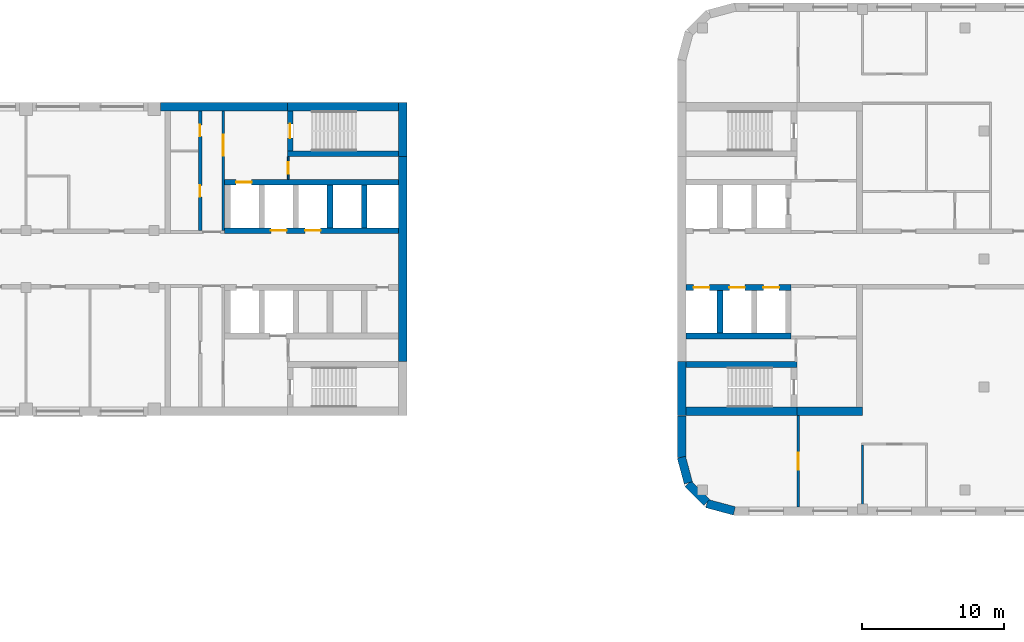
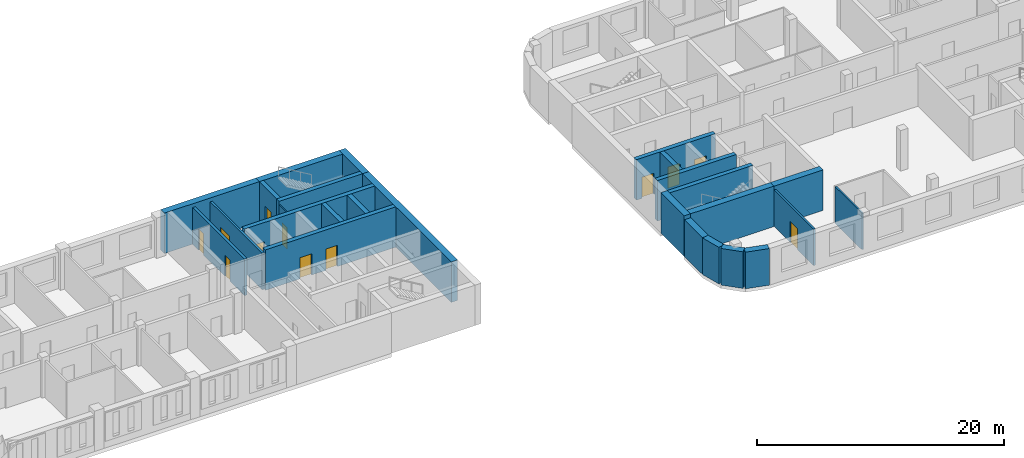
# One storey, part 6 of 12: 26 walls, 12 doors, 12 openings.
"""IFC4 building model written with IfcOpenShell, lengths in metres."""

from ifc_helpers import new_model, si_unit, direction, frame, frame_2d, origin, place, context, subcontext, project, spatial, rectangle, extrude, material, layer, layer_set, type_object, element, fill, save


model = new_model("IFC4")

# Units and contexts
model_context = context("Model", 3, precision=1e-05, world=origin(), true_north=direction((0.0, 1.0)))
body_context = subcontext(model_context, "Body", "Model", "MODEL_VIEW")
ifc_project = project(units=[si_unit("LENGTHUNIT", "METRE"), si_unit("AREAUNIT", "SQUARE_METRE"), si_unit("VOLUMEUNIT", "CUBIC_METRE"), si_unit("PLANEANGLEUNIT", "RADIAN"), si_unit("MASSUNIT", "GRAM", prefix="KILO")], contexts=[model_context])

# Site, building, storey
site_placement = place(None, origin())
site = spatial("IfcSite", under=ifc_project, at=site_placement, CompositionType="ELEMENT")
building_placement = place(site_placement, origin())
building = spatial("IfcBuilding", under=site, at=building_placement, Name="Skarvind Civic Tower", CompositionType="ELEMENT")
storey_placement = place(building_placement, frame((0.0, 0.0, 59.5)))
storey = spatial("IfcBuildingStorey", under=building, at=storey_placement, Name="L13", CompositionType="ELEMENT", Elevation=59.5)

# Wall, opening, door
ifc_material_1 = material(Name="Acoustic gypsum board on steel studs", Category="steel")
ifc_layer_1 = layer(ifc_material_1, 0.175048828125)
ifc_layer_set_1 = layer_set([ifc_layer_1], Name="ACOUSTIC MEETING-ROOM PARTITION 175")
wall_type_1 = type_object("IfcWallType", Name="ACOUSTIC MEETING-ROOM PARTITION 175", PredefinedType="PARTITIONING", material=ifc_layer_set_1)
wall_1_placement = place(storey_placement, frame((135.5, 117.0, 0.0), z_axis=(0.0, 0.0, 1.0), x_axis=(0.0, -1.0, 0.0)))
wall_1 = element("IfcWall", 1, at=wall_1_placement, inside=storey, type_object=wall_type_1, Name="Partition 13.001", PredefinedType="PARTITIONING", context=body_context, shape_type="SweptSolid", body=[
    extrude(rectangle(XDim=6.39990234375, YDim=0.175048828125, at=frame_2d((3.199951171875, 0.0))), origin(), (0.0, 0.0, 1.0), 3.625),
])
opening_1_placement = place(wall_1_placement, frame((2.60009765625, 0.0, 0.0)))
opening_1 = element("IfcOpeningElement", 2, at=opening_1_placement, cuts=wall_1, Name="Opening L13-D111", PredefinedType="OPENING", context=body_context, shape_type="SweptSolid", body=[
    extrude(rectangle(XDim=1.199951171875, YDim=2.10009765625, at=frame_2d((0.60009765625, 1.050048828125))), frame((0.0, 0.097412109375, 0.0), z_axis=(0.0, -1.0, 0.0), x_axis=(1.0, 0.0, 0.0)), (0.0, 0.0, 1.0), 0.195068359375),
])
ifc_material_2 = material(Name="Timber door leaf", Category="wood")
door_type_1 = type_object("IfcDoorType", Name="DOOR 1200X2100 DOUBLE TIMBER", OperationType="NOTDEFINED", PredefinedType="DOOR", material=ifc_material_2)
door_1_placement = place(opening_1_placement, origin())
door_1 = element("IfcDoor", 3, at=door_1_placement, inside=storey, type_object=door_type_1, Name="Door L13-D111", OperationType="DOUBLE_DOOR_SINGLE_SWING", OverallHeight=2.10009765625, OverallWidth=1.199951171875, PredefinedType="DOOR", context=body_context, shape_type="SweptSolid", body=[
    extrude(rectangle(XDim=1.199951171875, YDim=2.10009765625, at=frame_2d((0.60009765625, 1.050048828125))), frame((0.0, 0.02490234375, 0.0), z_axis=(0.0, -1.0, 0.0), x_axis=(1.0, 0.0, 0.0)), (0.0, 0.0, 1.0), 0.050048828125),
])
fill(opening_1, door_1)

ifc_material_3 = material(Name="Fire-rated masonry partition", Category="masonry")
ifc_layer_2 = layer(ifc_material_3, 0.199951171875)
ifc_layer_set_2 = layer_set([ifc_layer_2], Name="Core enclosure wall 200")
wall_type_2 = type_object("IfcWallType", Name="Core enclosure wall 200", PredefinedType="PARTITIONING", material=ifc_layer_set_2)
wall_2_placement = place(storey_placement, frame((95.10009765625, 130.0, 0.0), z_axis=(0.0, 0.0, 1.0), x_axis=(0.0, 1.0, 0.0)))
wall_2 = element("IfcWall", 4, at=wall_2_placement, inside=storey, type_object=wall_type_2, Name="Core wall C1", PredefinedType="PARTITIONING", context=body_context, shape_type="SweptSolid", body=[
    extrude(rectangle(XDim=8.39990234375, YDim=0.199951171875, at=frame_2d((4.199951171875, 0.0))), origin(), (0.0, 0.0, 1.0), 3.625),
])
opening_2_placement = place(wall_2_placement, frame((5.25, 0.0, 0.0)))
opening_2 = element("IfcOpeningElement", 5, at=opening_2_placement, cuts=wall_2, Name="Opening D-L13-C1-11", PredefinedType="OPENING", context=body_context, shape_type="SweptSolid", body=[
    extrude(rectangle(XDim=1.5, YDim=2.10009765625, at=frame_2d((0.75, 1.050048828125))), frame((0.0, 0.10986328125, 0.0), z_axis=(0.0, -1.0, 0.0), x_axis=(1.0, 0.0, 0.0)), (0.0, 0.0, 1.0), 0.219970703125),
])
ifc_material_4 = material(Name="Fire-rated steel door", Category="steel")
door_type_2 = type_object("IfcDoorType", Name="Fire door 1500", OperationType="NOTDEFINED", PredefinedType="DOOR", material=ifc_material_4)
door_2_placement = place(opening_2_placement, origin())
door_2 = element("IfcDoor", 6, at=door_2_placement, inside=storey, type_object=door_type_2, Name="Fire door", OperationType="DOUBLE_DOOR_SINGLE_SWING", OverallHeight=2.10009765625, OverallWidth=1.5, PredefinedType="DOOR", context=body_context, shape_type="SweptSolid", body=[
    extrude(rectangle(XDim=1.5, YDim=2.10009765625, at=frame_2d((0.75, 1.050048828125))), frame((0.0, 0.02490234375, 0.0), z_axis=(0.0, -1.0, 0.0), x_axis=(1.0, 0.0, 0.0)), (0.0, 0.0, 1.0), 0.050048828125),
])
fill(opening_2, door_2)

# Wall
ifc_material_5 = material(Name="Concrete C80", Category="concrete")
ifc_layer_3 = layer(ifc_material_5, 0.39990234375)
ifc_layer_set_3 = layer_set([ifc_layer_3], Name="Core wall 400 C80")
wall_type_3 = type_object("IfcWallType", Name="Core wall 400 C80", PredefinedType="SHEAR", material=ifc_layer_set_3)
wall_3_placement = place(storey_placement, frame((107.39990234375, 135.39990234375, 0.0), z_axis=(0.0, 0.0, 1.0), x_axis=(-1.0, 0.0, 0.0)))
element("IfcWall", 7, at=wall_3_placement, inside=storey, type_object=wall_type_3, Name="Core wall C1 south stair inner L13", PredefinedType="SHEAR", context=body_context, shape_type="SweptSolid", body=[
    extrude(rectangle(XDim=7.7998046875, YDim=0.39990234375, at=frame_2d((3.89990234375, 0.0))), origin(), (0.0, 0.0, 1.0), 4.0),
])

# Wall, opening, door
wall_4_placement = place(storey_placement, frame((99.800048828125, 138.39990234375, 0.0), z_axis=(0.0, 0.0, 1.0), x_axis=(0.0, -1.0, 0.0)))
wall_4 = element("IfcWall", 8, at=wall_4_placement, inside=storey, type_object=wall_type_3, Name="Core wall C1 south stair end L13", PredefinedType="SHEAR", context=body_context, shape_type="SweptSolid", body=[
    extrude(rectangle(XDim=2.7998046875, YDim=0.39990234375, at=frame_2d((1.39990234375, 0.0))), origin(), (0.0, 0.0, 1.0), 4.0),
])
opening_3_placement = place(wall_4_placement, frame((0.89990234375, 0.0, 0.0)))
opening_3 = element("IfcOpeningElement", 9, at=opening_3_placement, cuts=wall_4, Name="Opening D-L13-C1-12", PredefinedType="OPENING", context=body_context, shape_type="SweptSolid", body=[
    extrude(rectangle(XDim=1.0, YDim=2.10009765625, at=frame_2d((0.5, 1.050048828125))), frame((0.0, 0.2099609375, 0.0), z_axis=(0.0, -1.0, 0.0), x_axis=(1.0, 0.0, 0.0)), (0.0, 0.0, 1.0), 0.419921875),
])
door_type_3 = type_object("IfcDoorType", Name="Fire door 1000", OperationType="NOTDEFINED", PredefinedType="DOOR", material=ifc_material_4)
door_3_placement = place(opening_3_placement, origin())
door_3 = element("IfcDoor", 10, at=door_3_placement, inside=storey, type_object=door_type_3, Name="Fire door", OperationType="SINGLE_SWING_RIGHT", OverallHeight=2.10009765625, OverallWidth=1.0, PredefinedType="DOOR", context=body_context, shape_type="SweptSolid", body=[
    extrude(rectangle(XDim=1.0, YDim=2.10009765625, at=frame_2d((0.5, 1.050048828125))), frame((0.0, 0.02490234375, 0.0), z_axis=(0.0, -1.0, 0.0), x_axis=(1.0, 0.0, 0.0)), (0.0, 0.0, 1.0), 0.050048828125),
])
fill(opening_3, door_3)

# Wall, openings, doors
wall_5_placement = place(storey_placement, frame((107.39990234375, 130.0, 0.0), z_axis=(0.0, 0.0, 1.0), x_axis=(-1.0, 0.0, 0.0)))
wall_5 = element("IfcWall", 11, at=wall_5_placement, inside=storey, type_object=wall_type_3, Name="Core wall C1 south lift row front L13", PredefinedType="SHEAR", context=body_context, shape_type="SweptSolid", body=[
    extrude(rectangle(XDim=12.199951171875, YDim=0.39990234375, at=frame_2d((6.10009765625, 0.0))), origin(), (0.0, 0.0, 1.0), 4.0),
])
opening_4_placement = place(wall_5_placement, frame((5.449951171875, 0.0, 0.0)))
opening_4 = element("IfcOpeningElement", 12, at=opening_4_placement, cuts=wall_5, Name="Opening LD15108", PredefinedType="OPENING", context=body_context, shape_type="SweptSolid", body=[
    extrude(rectangle(XDim=1.10009765625, YDim=2.10009765625, at=frame_2d((0.550048828125, 1.050048828125))), frame((0.0, 0.2099609375, 0.0), z_axis=(0.0, -1.0, 0.0), x_axis=(1.0, 0.0, 0.0)), (0.0, 0.0, 1.0), 0.419921875),
])
opening_5_placement = place(wall_5_placement, frame((7.85009765625, 0.0, 0.0)))
opening_5 = element("IfcOpeningElement", 13, at=opening_5_placement, cuts=wall_5, Name="Opening LD15109", PredefinedType="OPENING", context=body_context, shape_type="SweptSolid", body=[
    extrude(rectangle(XDim=1.10009765625, YDim=2.10009765625, at=frame_2d((0.550048828125, 1.050048828125))), frame((0.0, 0.2099609375, 0.0), z_axis=(0.0, -1.0, 0.0), x_axis=(1.0, 0.0, 0.0)), (0.0, 0.0, 1.0), 0.419921875),
])
ifc_material_6 = material(Name="Stainless steel landing door", Category="steel")
door_type_4 = type_object("IfcDoorType", Name="Lift landing door 1100", OperationType="DOUBLE_DOOR_SLIDING", PredefinedType="DOOR", material=ifc_material_6)
door_4_placement = place(opening_4_placement, origin())
door_4 = element("IfcDoor", 14, at=door_4_placement, inside=storey, type_object=door_type_4, Name="Lift landing door", OperationType="DOUBLE_DOOR_SLIDING", OverallHeight=2.10009765625, OverallWidth=1.10009765625, PredefinedType="DOOR", context=body_context, shape_type="SweptSolid", body=[
    extrude(rectangle(XDim=1.10009765625, YDim=2.10009765625, at=frame_2d((0.550048828125, 1.050048828125))), frame((0.0, 0.02490234375, 0.0), z_axis=(0.0, -1.0, 0.0), x_axis=(1.0, 0.0, 0.0)), (0.0, 0.0, 1.0), 0.050048828125),
])
fill(opening_4, door_4)
door_5_placement = place(opening_5_placement, origin())
door_5 = element("IfcDoor", 15, at=door_5_placement, inside=storey, type_object=door_type_4, Name="Lift landing door", OperationType="DOUBLE_DOOR_SLIDING", OverallHeight=2.10009765625, OverallWidth=1.10009765625, PredefinedType="DOOR", context=body_context, shape_type="SweptSolid", body=[
    extrude(rectangle(XDim=1.10009765625, YDim=2.10009765625, at=frame_2d((0.550048828125, 1.050048828125))), frame((0.0, 0.02490234375, 0.0), z_axis=(0.0, -1.0, 0.0), x_axis=(1.0, 0.0, 0.0)), (0.0, 0.0, 1.0), 0.050048828125),
])
fill(opening_5, door_5)

# Wall, opening, door
wall_6_placement = place(storey_placement, frame((107.39990234375, 133.39990234375, 0.0), z_axis=(0.0, 0.0, 1.0), x_axis=(-1.0, 0.0, 0.0)))
wall_6 = element("IfcWall", 16, at=wall_6_placement, inside=storey, type_object=wall_type_3, Name="Core wall C1 south lift row back L13", PredefinedType="SHEAR", context=body_context, shape_type="SweptSolid", body=[
    extrude(rectangle(XDim=12.199951171875, YDim=0.39990234375, at=frame_2d((6.10009765625, 0.0))), origin(), (0.0, 0.0, 1.0), 4.0),
])
opening_6_placement = place(wall_6_placement, frame((10.300048828125, 0.0, 0.0)))
opening_6 = element("IfcOpeningElement", 17, at=opening_6_placement, cuts=wall_6, Name="Opening LD15110", PredefinedType="OPENING", context=body_context, shape_type="SweptSolid", body=[
    extrude(rectangle(XDim=1.10009765625, YDim=2.10009765625, at=frame_2d((0.550048828125, 1.050048828125))), frame((0.0, 0.2099609375, 0.0), z_axis=(0.0, -1.0, 0.0), x_axis=(1.0, 0.0, 0.0)), (0.0, 0.0, 1.0), 0.419921875),
])
door_6_placement = place(opening_6_placement, origin())
door_6 = element("IfcDoor", 18, at=door_6_placement, inside=storey, type_object=door_type_4, Name="Lift landing door", OperationType="DOUBLE_DOOR_SLIDING", OverallHeight=2.10009765625, OverallWidth=1.10009765625, PredefinedType="DOOR", context=body_context, shape_type="SweptSolid", body=[
    extrude(rectangle(XDim=1.10009765625, YDim=2.10009765625, at=frame_2d((0.550048828125, 1.050048828125))), frame((0.0, 0.02490234375, 0.0), z_axis=(0.0, -1.0, 0.0), x_axis=(1.0, 0.0, 0.0)), (0.0, 0.0, 1.0), 0.050048828125),
])
fill(opening_6, door_6)

# Walls
for number, where, z_axis, x_axis, name in (
    (19, (105.0, 133.199951171875, 0.0), (0.0, 0.0, 1.0), (0.0, -1.0, 0.0), "Core wall C1 south lift row division 1 L13"),
    (20, (102.60009765625, 133.199951171875, 0.0), (0.0, 0.0, 1.0), (0.0, -1.0, 0.0), "Core wall C1 south lift row division 2 L13"),
):
    element("IfcWall", number, at=place(storey_placement, frame(where, z_axis=z_axis, x_axis=x_axis)), inside=storey, type_object=wall_type_3, Name=name, PredefinedType="SHEAR", context=body_context, shape_type="SweptSolid", body=[
        extrude(rectangle(XDim=3.0, YDim=0.39990234375, at=frame_2d((1.5, 0.0))), origin(), (0.0, 0.0, 1.0), 4.0),
    ])
wall_7_placement = place(storey_placement, frame((127.60009765625, 120.60009765625, 0.0), z_axis=(0.0, 0.0, 1.0), x_axis=(1.0, 0.0, 0.0)))
element("IfcWall", 21, at=wall_7_placement, inside=storey, type_object=wall_type_3, Name="Core wall CA south stair inner L13", PredefinedType="SHEAR", context=body_context, shape_type="SweptSolid", body=[
    extrude(rectangle(XDim=7.7998046875, YDim=0.39990234375, at=frame_2d((3.89990234375, 0.0))), origin(), (0.0, 0.0, 1.0), 4.0),
])

# Wall, openings, doors
wall_8_placement = place(storey_placement, frame((127.60009765625, 126.0, 0.0), z_axis=(0.0, 0.0, 1.0), x_axis=(1.0, 0.0, 0.0)))
wall_8 = element("IfcWall", 22, at=wall_8_placement, inside=storey, type_object=wall_type_3, Name="Core wall CA south lift row front L13", PredefinedType="SHEAR", context=body_context, shape_type="SweptSolid", body=[
    extrude(rectangle(XDim=7.39990234375, YDim=0.39990234375, at=frame_2d((3.699951171875, 0.0))), origin(), (0.0, 0.0, 1.0), 4.0),
])
opening_7_placement = place(wall_8_placement, frame((0.550048828125, 0.0, 0.0)))
opening_7 = element("IfcOpeningElement", 23, at=opening_7_placement, cuts=wall_8, Name="Opening LD15304", PredefinedType="OPENING", context=body_context, shape_type="SweptSolid", body=[
    extrude(rectangle(XDim=1.10009765625, YDim=2.10009765625, at=frame_2d((0.550048828125, 1.050048828125))), frame((0.0, 0.2099609375, 0.0), z_axis=(0.0, -1.0, 0.0), x_axis=(1.0, 0.0, 0.0)), (0.0, 0.0, 1.0), 0.419921875),
])
opening_8_placement = place(wall_8_placement, frame((3.050048828125, 0.0, 0.0)))
opening_8 = element("IfcOpeningElement", 24, at=opening_8_placement, cuts=wall_8, Name="Opening LD15305", PredefinedType="OPENING", context=body_context, shape_type="SweptSolid", body=[
    extrude(rectangle(XDim=1.10009765625, YDim=2.10009765625, at=frame_2d((0.550048828125, 1.050048828125))), frame((0.0, 0.2099609375, 0.0), z_axis=(0.0, -1.0, 0.0), x_axis=(1.0, 0.0, 0.0)), (0.0, 0.0, 1.0), 0.419921875),
])
opening_9_placement = place(wall_8_placement, frame((5.449951171875, 0.0, 0.0)))
opening_9 = element("IfcOpeningElement", 25, at=opening_9_placement, cuts=wall_8, Name="Opening LD15306", PredefinedType="OPENING", context=body_context, shape_type="SweptSolid", body=[
    extrude(rectangle(XDim=1.10009765625, YDim=2.10009765625, at=frame_2d((0.550048828125, 1.050048828125))), frame((0.0, 0.2099609375, 0.0), z_axis=(0.0, -1.0, 0.0), x_axis=(1.0, 0.0, 0.0)), (0.0, 0.0, 1.0), 0.419921875),
])
door_7_placement = place(opening_7_placement, origin())
door_7 = element("IfcDoor", 26, at=door_7_placement, inside=storey, type_object=door_type_4, Name="Lift landing door", OperationType="DOUBLE_DOOR_SLIDING", OverallHeight=2.10009765625, OverallWidth=1.10009765625, PredefinedType="DOOR", context=body_context, shape_type="SweptSolid", body=[
    extrude(rectangle(XDim=1.10009765625, YDim=2.10009765625, at=frame_2d((0.550048828125, 1.050048828125))), frame((0.0, 0.02490234375, 0.0), z_axis=(0.0, -1.0, 0.0), x_axis=(1.0, 0.0, 0.0)), (0.0, 0.0, 1.0), 0.050048828125),
])
fill(opening_7, door_7)
door_8_placement = place(opening_8_placement, origin())
door_8 = element("IfcDoor", 27, at=door_8_placement, inside=storey, type_object=door_type_4, Name="Lift landing door", OperationType="DOUBLE_DOOR_SLIDING", OverallHeight=2.10009765625, OverallWidth=1.10009765625, PredefinedType="DOOR", context=body_context, shape_type="SweptSolid", body=[
    extrude(rectangle(XDim=1.10009765625, YDim=2.10009765625, at=frame_2d((0.550048828125, 1.050048828125))), frame((0.0, 0.02490234375, 0.0), z_axis=(0.0, -1.0, 0.0), x_axis=(1.0, 0.0, 0.0)), (0.0, 0.0, 1.0), 0.050048828125),
])
fill(opening_8, door_8)
door_9_placement = place(opening_9_placement, origin())
door_9 = element("IfcDoor", 28, at=door_9_placement, inside=storey, type_object=door_type_4, Name="Lift landing door", OperationType="DOUBLE_DOOR_SLIDING", OverallHeight=2.10009765625, OverallWidth=1.10009765625, PredefinedType="DOOR", context=body_context, shape_type="SweptSolid", body=[
    extrude(rectangle(XDim=1.10009765625, YDim=2.10009765625, at=frame_2d((0.550048828125, 1.050048828125))), frame((0.0, 0.02490234375, 0.0), z_axis=(0.0, -1.0, 0.0), x_axis=(1.0, 0.0, 0.0)), (0.0, 0.0, 1.0), 0.050048828125),
])
fill(opening_9, door_9)

# Walls
wall_9_placement = place(storey_placement, frame((127.60009765625, 122.60009765625, 0.0), z_axis=(0.0, 0.0, 1.0), x_axis=(1.0, 0.0, 0.0)))
element("IfcWall", 29, at=wall_9_placement, inside=storey, type_object=wall_type_3, Name="Core wall CA south lift row back L13", PredefinedType="SHEAR", context=body_context, shape_type="SweptSolid", body=[
    extrude(rectangle(XDim=7.39990234375, YDim=0.39990234375, at=frame_2d((3.699951171875, 0.0))), origin(), (0.0, 0.0, 1.0), 4.0),
])
wall_10_placement = place(storey_placement, frame((130.0, 122.800048828125, 0.0), z_axis=(0.0, 0.0, 1.0), x_axis=(0.0, 1.0, 0.0)))
element("IfcWall", 30, at=wall_10_placement, inside=storey, type_object=wall_type_3, Name="Core wall CA south lift row division 1 L13", PredefinedType="SHEAR", context=body_context, shape_type="SweptSolid", body=[
    extrude(rectangle(XDim=3.0, YDim=0.39990234375, at=frame_2d((1.5, 0.0))), origin(), (0.0, 0.0, 1.0), 4.0),
])
ifc_layer_4 = layer(ifc_material_5, 0.60009765625)
ifc_layer_set_4 = layer_set([ifc_layer_4], Name="Core wall 600 C80")
wall_type_4 = type_object("IfcWallType", Name="Core wall 600 C80", PredefinedType="SHEAR", material=ifc_layer_set_4)
wall_11_placement = place(storey_placement, frame((107.699951171875, 139.0, 0.0), z_axis=(0.0, 0.0, 1.0), x_axis=(0.0, -1.0, 0.0)))
element("IfcWall", 31, at=wall_11_placement, inside=storey, type_object=wall_type_4, Name="Core wall C1 tip at the south stair L13", PredefinedType="SHEAR", context=body_context, shape_type="SweptSolid", body=[
    extrude(rectangle(XDim=3.800048828125, YDim=0.60009765625, at=frame_2d((1.89990234375, 0.0))), origin(), (0.0, 0.0, 1.0), 4.0),
])
wall_12_placement = place(storey_placement, frame((107.699951171875, 135.199951171875, 0.0), z_axis=(0.0, 0.0, 1.0), x_axis=(0.0, -1.0, 0.0)))
element("IfcWall", 32, at=wall_12_placement, inside=storey, type_object=wall_type_4, Name="Core wall C1 tip between the stairs L13", PredefinedType="SHEAR", context=body_context, shape_type="SweptSolid", body=[
    extrude(rectangle(XDim=14.39990234375, YDim=0.60009765625, at=frame_2d((7.199951171875, 0.0))), origin(), (0.0, 0.0, 1.0), 4.0),
])
wall_13_placement = place(storey_placement, frame((107.39990234375, 138.699951171875, 0.0), z_axis=(0.0, 0.0, 1.0), x_axis=(-1.0, 0.0, 0.0)))
element("IfcWall", 33, at=wall_13_placement, inside=storey, type_object=wall_type_4, Name="Core wall C1 south side at the stair L13", PredefinedType="SHEAR", context=body_context, shape_type="SweptSolid", body=[
    extrude(rectangle(XDim=7.7998046875, YDim=0.60009765625, at=frame_2d((3.89990234375, 0.0))), origin(), (0.0, 0.0, 1.0), 4.0),
])
wall_14_placement = place(storey_placement, frame((99.60009765625, 138.699951171875, 0.0), z_axis=(0.0, 0.0, 1.0), x_axis=(-1.0, 0.0, 0.0)))
element("IfcWall", 34, at=wall_14_placement, inside=storey, type_object=wall_type_4, Name="Core wall C1 south side L13", PredefinedType="SHEAR", context=body_context, shape_type="SweptSolid", body=[
    extrude(rectangle(XDim=8.900146484375, YDim=0.60009765625, at=frame_2d((4.4501953125, 0.0))), origin(), (0.0, 0.0, 1.0), 4.0),
])
wall_15_placement = place(storey_placement, frame((127.300048828125, 117.0, 0.0), z_axis=(0.0, 0.0, 1.0), x_axis=(0.0, 1.0, 0.0)))
element("IfcWall", 35, at=wall_15_placement, inside=storey, type_object=wall_type_4, Name="Core wall CA tip at the south stair L13", PredefinedType="SHEAR", context=body_context, shape_type="SweptSolid", body=[
    extrude(rectangle(XDim=3.800048828125, YDim=0.60009765625, at=frame_2d((1.89990234375, 0.0))), origin(), (0.0, 0.0, 1.0), 4.0),
])
wall_16_placement = place(storey_placement, frame((127.60009765625, 117.300048828125, 0.0), z_axis=(0.0, 0.0, 1.0), x_axis=(1.0, 0.0, 0.0)))
element("IfcWall", 36, at=wall_16_placement, inside=storey, type_object=wall_type_4, Name="Core wall CA south side at the stair L13", PredefinedType="SHEAR", context=body_context, shape_type="SweptSolid", body=[
    extrude(rectangle(XDim=7.7998046875, YDim=0.60009765625, at=frame_2d((3.89990234375, 0.0))), origin(), (0.0, 0.0, 1.0), 4.0),
])
wall_17_placement = place(storey_placement, frame((135.39990234375, 117.300048828125, 0.0), z_axis=(0.0, 0.0, 1.0), x_axis=(1.0, 0.0, 0.0)))
element("IfcWall", 37, at=wall_17_placement, inside=storey, type_object=wall_type_4, Name="Core wall CA south side L13", PredefinedType="SHEAR", context=body_context, shape_type="SweptSolid", body=[
    extrude(rectangle(XDim=4.60009765625, YDim=0.60009765625, at=frame_2d((2.300048828125, 0.0))), origin(), (0.0, 0.0, 1.0), 4.0),
])
ifc_material_7 = material(Name="Plasterboard partition on steel studs", Category="steel")
ifc_layer_5 = layer(ifc_material_7, 0.14990234375)
ifc_layer_set_5 = layer_set([ifc_layer_5], Name="PARTITION 150")
wall_type_5 = type_object("IfcWallType", Name="PARTITION 150", PredefinedType="PARTITIONING", material=ifc_layer_set_5)
wall_18_placement = place(storey_placement, frame((140.0, 110.60009765625, 0.0), z_axis=(0.0, 0.0, 1.0), x_axis=(0.0, 1.0, 0.0)))
element("IfcWall", 38, at=wall_18_placement, inside=storey, type_object=wall_type_5, Name="Partition 13.003", PredefinedType="PARTITIONING", context=body_context, shape_type="SweptSolid", body=[
    extrude(rectangle(XDim=4.324951171875, YDim=0.14990234375, at=frame_2d((2.16259765625, 0.0))), origin(), (0.0, 0.0, 1.0), 3.625),
])

# Wall, opening, door
ifc_layer_6 = layer(ifc_material_3, 0.125)
ifc_layer_set_6 = layer_set([ifc_layer_6], Name="Riser wall 125")
wall_type_6 = type_object("IfcWallType", Name="Riser wall 125", PredefinedType="PARTITIONING", material=ifc_layer_set_6)
wall_19_placement = place(storey_placement, frame((99.66259765625, 133.60009765625, 0.0), z_axis=(0.0, 0.0, 1.0), x_axis=(0.0, 1.0, 0.0)))
wall_19 = element("IfcWall", 39, at=wall_19_placement, inside=storey, type_object=wall_type_6, Name="Core wall C1", PredefinedType="PARTITIONING", context=body_context, shape_type="SweptSolid", body=[
    extrude(rectangle(XDim=1.599853515625, YDim=0.125, at=frame_2d((0.7998046875, 0.0))), origin(), (0.0, 0.0, 1.0), 3.625),
])
opening_10_placement = place(wall_19_placement, frame((0.39990234375, 0.0, 0.0)))
opening_10 = element("IfcOpeningElement", 40, at=opening_10_placement, cuts=wall_19, Name="Opening D-L13-C1-13", PredefinedType="OPENING", context=body_context, shape_type="SweptSolid", body=[
    extrude(rectangle(XDim=0.800048828125, YDim=2.10009765625, at=frame_2d((0.39990234375, 1.050048828125))), frame((0.0, 0.072509765625, 0.0), z_axis=(0.0, -1.0, 0.0), x_axis=(1.0, 0.0, 0.0)), (0.0, 0.0, 1.0), 0.14501953125),
])
door_type_5 = type_object("IfcDoorType", Name="Core riser door 800", OperationType="NOTDEFINED", PredefinedType="DOOR", material=ifc_material_4)
door_10_placement = place(opening_10_placement, origin())
door_10 = element("IfcDoor", 41, at=door_10_placement, inside=storey, type_object=door_type_5, Name="Riser door", OperationType="SINGLE_SWING_LEFT", OverallHeight=2.10009765625, OverallWidth=0.800048828125, PredefinedType="DOOR", context=body_context, shape_type="SweptSolid", body=[
    extrude(rectangle(XDim=0.800048828125, YDim=2.10009765625, at=frame_2d((0.39990234375, 1.050048828125))), frame((0.0, 0.02490234375, 0.0), z_axis=(0.0, -1.0, 0.0), x_axis=(1.0, 0.0, 0.0)), (0.0, 0.0, 1.0), 0.050048828125),
])
fill(opening_10, door_10)

# Wall, openings, doors
ifc_layer_7 = layer(ifc_material_3, 0.25)
ifc_layer_set_7 = layer_set([ifc_layer_7], Name="Service block wall 250")
wall_type_7 = type_object("IfcWallType", Name="Service block wall 250", PredefinedType="PARTITIONING", material=ifc_layer_set_7)
wall_20_placement = place(storey_placement, frame((93.47509765625, 130.0, 0.0), z_axis=(0.0, 0.0, 1.0), x_axis=(0.0, 1.0, 0.0)))
wall_20 = element("IfcWall", 42, at=wall_20_placement, inside=storey, type_object=wall_type_7, Name="Core wall C1", PredefinedType="PARTITIONING", context=body_context, shape_type="SweptSolid", body=[
    extrude(rectangle(XDim=8.39990234375, YDim=0.25, at=frame_2d((4.199951171875, 0.0))), origin(), (0.0, 0.0, 1.0), 3.625),
])
opening_11_placement = place(wall_20_placement, frame((2.375, 0.0, 0.0)))
opening_11 = element("IfcOpeningElement", 43, at=opening_11_placement, cuts=wall_20, Name="Opening D-L13-C1-14", PredefinedType="OPENING", context=body_context, shape_type="SweptSolid", body=[
    extrude(rectangle(XDim=0.800048828125, YDim=2.10009765625, at=frame_2d((0.39990234375, 1.050048828125))), frame((0.0, 0.135009765625, 0.0), z_axis=(0.0, -1.0, 0.0), x_axis=(1.0, 0.0, 0.0)), (0.0, 0.0, 1.0), 0.27001953125),
])
opening_12_placement = place(wall_20_placement, frame((6.625, 0.0, 0.0)))
opening_12 = element("IfcOpeningElement", 44, at=opening_12_placement, cuts=wall_20, Name="Opening D-L13-C1-15", PredefinedType="OPENING", context=body_context, shape_type="SweptSolid", body=[
    extrude(rectangle(XDim=0.800048828125, YDim=2.10009765625, at=frame_2d((0.39990234375, 1.050048828125))), frame((0.0, 0.135009765625, 0.0), z_axis=(0.0, -1.0, 0.0), x_axis=(1.0, 0.0, 0.0)), (0.0, 0.0, 1.0), 0.27001953125),
])
door_11_placement = place(opening_11_placement, origin())
door_11 = element("IfcDoor", 45, at=door_11_placement, inside=storey, type_object=door_type_5, Name="Riser door", OperationType="SINGLE_SWING_RIGHT", OverallHeight=2.10009765625, OverallWidth=0.800048828125, PredefinedType="DOOR", context=body_context, shape_type="SweptSolid", body=[
    extrude(rectangle(XDim=0.800048828125, YDim=2.10009765625, at=frame_2d((0.39990234375, 1.050048828125))), frame((0.0, 0.02490234375, 0.0), z_axis=(0.0, -1.0, 0.0), x_axis=(1.0, 0.0, 0.0)), (0.0, 0.0, 1.0), 0.050048828125),
])
fill(opening_11, door_11)
door_12_placement = place(opening_12_placement, origin())
door_12 = element("IfcDoor", 46, at=door_12_placement, inside=storey, type_object=door_type_5, Name="Riser door", OperationType="SINGLE_SWING_LEFT", OverallHeight=2.10009765625, OverallWidth=0.800048828125, PredefinedType="DOOR", context=body_context, shape_type="SweptSolid", body=[
    extrude(rectangle(XDim=0.800048828125, YDim=2.10009765625, at=frame_2d((0.39990234375, 1.050048828125))), frame((0.0, 0.02490234375, 0.0), z_axis=(0.0, -1.0, 0.0), x_axis=(1.0, 0.0, 0.0)), (0.0, 0.0, 1.0), 0.050048828125),
])
fill(opening_12, door_12)

# Walls
ifc_material_8 = material(Name="Limestone masonry cladding on insulated backing", Category="masonry")
ifc_layer_8 = layer(ifc_material_8, 0.60009765625)
ifc_layer_set_8 = layer_set([ifc_layer_8], Name="WX1 STONE FACADE WALL 600")
wall_type_8 = type_object("IfcWallType", Name="WX1 STONE FACADE WALL 600", PredefinedType="SOLIDWALL", material=ifc_layer_set_8)
wall_21_placement = place(storey_placement, frame((127.300048828125, 114.070068359375, 0.0), z_axis=(0.0, 0.0, 1.0), x_axis=(0.0, 1.0, 0.0)))
element("IfcWall", 47, at=wall_21_placement, inside=storey, type_object=wall_type_8, Name="STONE FACADE WALL", PredefinedType="SOLIDWALL", context=body_context, shape_type="SweptSolid", body=[
    extrude(rectangle(XDim=2.909912109375, YDim=0.60009765625, at=frame_2d((1.455078125, 0.0))), origin(), (0.0, 0.0, 1.0), 3.625),
])
for number, where, z_axis, x_axis, name in (
    (48, (127.771240234375, 112.280517578125, 0.0), (0.0, 0.0, 1.0), (-0.258773254036, 0.965938094805, 0.0), "STONE FACADE WALL"),
    (49, (129.063720703125, 110.896484375, 0.0), (0.0, 0.0, 1.0), (-0.707106781187, 0.707106781187, 0.0), "STONE FACADE WALL"),
):
    element("IfcWall", number, at=place(storey_placement, frame(where, z_axis=z_axis, x_axis=x_axis)), inside=storey, type_object=wall_type_8, Name=name, PredefinedType="SOLIDWALL", context=body_context, shape_type="SweptSolid", body=[
        extrude(rectangle(XDim=1.860595703125, YDim=0.60009765625, at=frame_2d((0.93017578125, 0.0))), origin(), (0.0, 0.0, 1.0), 3.625),
    ])
wall_22_placement = place(storey_placement, frame((131.010009765625, 110.307861328125, 0.0), z_axis=(0.0, 0.0, 1.0), x_axis=(-0.965920269068, 0.258839784042, 0.0)))
element("IfcWall", 50, at=wall_22_placement, inside=storey, type_object=wall_type_8, Name="STONE FACADE WALL", PredefinedType="SOLIDWALL", context=body_context, shape_type="SweptSolid", body=[
    extrude(rectangle(XDim=2.00048828125, YDim=0.60009765625, at=frame_2d((1.000244140625, 0.0))), origin(), (0.0, 0.0, 1.0), 3.625),
])

save(model, "model.ifc")
